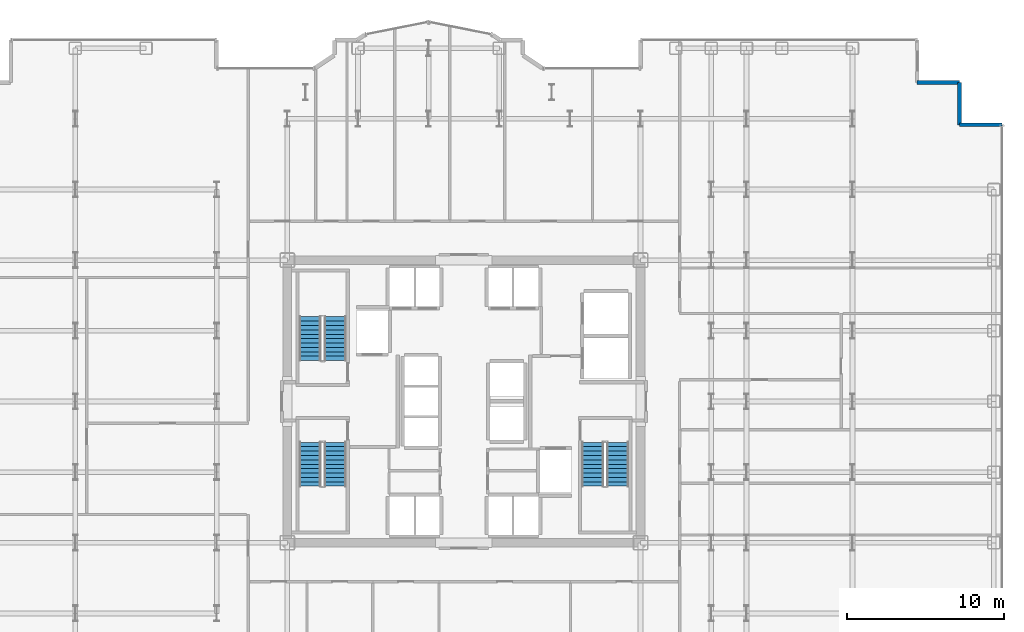
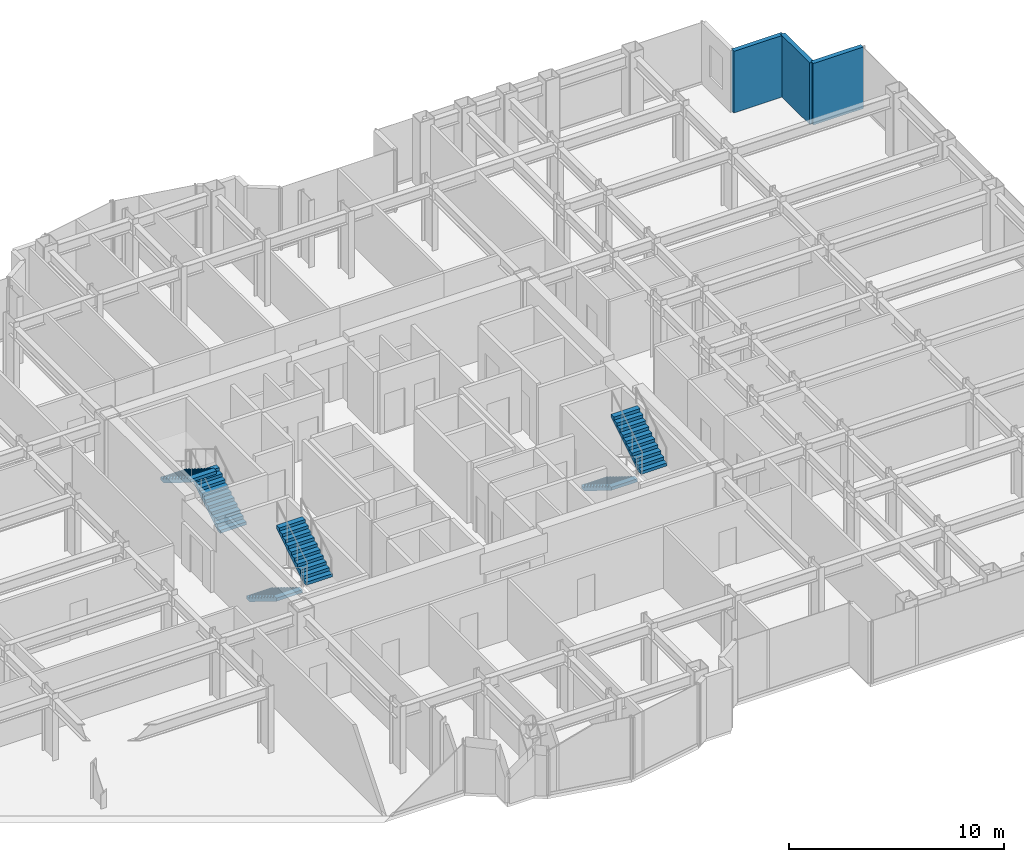
# One storey, part 25 of 26: 6 stair flights, 3 walls, 3 elements without a shape of their own.
"""IFC4 building model written with IfcOpenShell, lengths in metres."""

from ifc_helpers import new_model, si_unit, direction, frame, frame_2d, origin, place, context, subcontext, project, spatial, polyline, rectangle, outline, extrude, source, transform, mapped, material, layer, layer_set, type_object, element, aggregate, save


model = new_model("IFC4")

# Units and contexts
model_context = context("Model", 3, precision=1e-05, world=origin(), true_north=direction((0.0, 1.0)))
body_context = subcontext(model_context, "Body", "Model", "MODEL_VIEW")
ifc_project = project(units=[si_unit("LENGTHUNIT", "METRE"), si_unit("AREAUNIT", "SQUARE_METRE"), si_unit("VOLUMEUNIT", "CUBIC_METRE"), si_unit("PLANEANGLEUNIT", "RADIAN"), si_unit("MASSUNIT", "GRAM", prefix="KILO")], contexts=[model_context])

# Site, building, storey
site_placement = place(None, origin())
site = spatial("IfcSite", under=ifc_project, at=site_placement, CompositionType="ELEMENT")
building_placement = place(site_placement, origin())
building = spatial("IfcBuilding", under=site, at=building_placement, Name="Nefas-Gora Pilgrimage Tower", CompositionType="ELEMENT")
storey_placement = place(building_placement, frame((0.0, 0.0, 140.199951171875)))
storey = spatial("IfcBuildingStorey", under=building, at=storey_placement, Name="L34", CompositionType="ELEMENT", Elevation=140.199951171875)

# Walls
ifc_material_1 = material(Name="Precast concrete C45/55", Category="concrete")
ifc_layer = layer(ifc_material_1, 0.239990234375)
ifc_layer_set = layer_set([ifc_layer], Name="Precast concrete C45/55")
wall_type = type_object("IfcWallType", Name="EW-SERR-240", PredefinedType="SHEAR", material=ifc_layer_set)
shared_shape_1 = source(origin(), body_context, "Body", "SweptSolid", [
    extrude(rectangle(XDim=2.699951171875, YDim=0.239990234375, at=frame_2d((1.35009765625, 0.0))), origin(), (0.0, 0.0, 1.0), 3.5),
])
for number, where, z_axis, x_axis, name in (
    (1, (34.27001953125, 17.6201171875, 0.0), (0.0, 0.0, 1.0), (-1.0, 0.0, 0.0), "L34 Serrated Corner Shear Pier Wall 6"),
    (2, (31.570068359375, 17.6201171875, 0.0), (0.0, 0.0, 1.0), (0.0, 1.0, 0.0), "L34 Serrated Corner Shear Pier Wall 7"),
    (3, (31.570068359375, 20.320068359375, 0.0), (0.0, 0.0, 1.0), (-1.0, 0.0, 0.0), "L34 Serrated Corner Shear Pier Wall 8"),
):
    element("IfcWall", number, at=place(storey_placement, frame(where, z_axis=z_axis, x_axis=x_axis)), inside=storey, type_object=wall_type, Name=name, PredefinedType="SHEAR", context=body_context, shape_type="MappedRepresentation", body=[
        mapped(shared_shape_1, transform((0.0, 0.0, 0.0), x_axis=(1.0, 0.0, 0.0), y_axis=(0.0, 1.0, 0.0), z_axis=(0.0, 0.0, 1.0), scale=1.0)),
    ])

# Stair, stair flights
ifc_material_2 = material(Name="Concrete C45/55", Category="concrete")
stair_type = type_object("IfcStairType", Name="STR-1400-R1727", PredefinedType="HALF_TURN_STAIR", material=ifc_material_2)
stair_1_placement = place(storey_placement, origin())
stair_1 = element("IfcStair", 4, at=stair_1_placement, inside=storey, type_object=stair_type, Name="L34 Pressurised Tower Exit Stair ST-01", PredefinedType="HALF_TURN_STAIR")
stair_flight_type = type_object("IfcStairFlightType", Name="STF-1400-R1727", PredefinedType="STRAIGHT", material=ifc_material_2)
shared_shape_2 = source(origin(), body_context, "Body", "SweptSolid", [
    extrude(outline(polyline([(0.0, 0.0), (0.0, 0.172607421875), (0.280029296875, 0.172607421875), (0.280029296875, 0.345458984375), (0.56005859375, 0.345458984375), (0.56005859375, 0.51806640625), (0.840087890625, 0.51806640625), (0.840087890625, 0.69091796875), (1.1201171875, 0.69091796875), (1.1201171875, 0.863525390625), (1.39990234375, 0.863525390625), (1.39990234375, 1.036376953125), (1.679931640625, 1.036376953125), (1.679931640625, 1.208984375), (1.9599609375, 1.208984375), (1.9599609375, 1.3818359375), (2.239990234375, 1.3818359375), (2.239990234375, 1.554443359375), (2.52001953125, 1.554443359375), (2.52001953125, 1.727294921875), (2.800048828125, 1.727294921875), (2.800048828125, 1.89990234375), (2.800048828125, 1.551025390625), (0.285400390625, 0.0), (0.0, 0.0)])), frame((0.0, 0.699951171875, 0.0), z_axis=(0.0, -1.0, 0.0), x_axis=(1.0, 0.0, 0.0)), (0.0, 0.0, 1.0), 1.39990234375),
])
stair_flight_1_placement = place(storey_placement, frame((-8.199951171875, 2.60009765625, 0.0), z_axis=(0.0, 0.0, 1.0), x_axis=(0.0, 1.0, 0.0)))
stair_flight_1 = element("IfcStairFlight", 5, at=stair_flight_1_placement, type_object=stair_flight_type, Name="ST-01 flight 1", NumberOfRisers=11, NumberOfTreads=10, PredefinedType="STRAIGHT", RiserHeight=0.172727273, TreadLength=0.28, context=body_context, shape_type="MappedRepresentation", body=[
    mapped(shared_shape_2, transform((0.0, 0.0, 0.0), x_axis=(1.0, 0.0, 0.0), y_axis=(0.0, 1.0, 0.0), z_axis=(0.0, 0.0, 1.0), scale=1.0)),
])
stair_flight_2_placement = place(storey_placement, frame((-9.800048828125, 5.39990234375, 1.900146484375), z_axis=(0.0, 0.0, 1.0), x_axis=(0.0, -1.0, 0.0)))
stair_flight_2 = element("IfcStairFlight", 6, at=stair_flight_2_placement, type_object=stair_flight_type, Name="ST-01 flight 2", NumberOfRisers=11, NumberOfTreads=10, PredefinedType="STRAIGHT", RiserHeight=0.172727273, TreadLength=0.28, context=body_context, shape_type="MappedRepresentation", body=[
    mapped(shared_shape_2, transform((0.0, 0.0, 0.0), x_axis=(1.0, 0.0, 0.0), y_axis=(0.0, 1.0, 0.0), z_axis=(0.0, 0.0, 1.0), scale=1.0)),
])
aggregate(stair_1, [stair_flight_1, stair_flight_2])

stair_2_placement = place(storey_placement, origin())
stair_2 = element("IfcStair", 7, at=stair_2_placement, inside=storey, type_object=stair_type, Name="L34 Pressurised Tower Exit Stair ST-02", PredefinedType="HALF_TURN_STAIR")
stair_flight_3_placement = place(storey_placement, frame((8.199951171875, -2.60009765625, 0.0), z_axis=(0.0, 0.0, 1.0), x_axis=(0.0, -1.0, 0.0)))
stair_flight_3 = element("IfcStairFlight", 8, at=stair_flight_3_placement, type_object=stair_flight_type, Name="ST-02 flight 1", NumberOfRisers=11, NumberOfTreads=10, PredefinedType="STRAIGHT", RiserHeight=0.172727273, TreadLength=0.28, context=body_context, shape_type="MappedRepresentation", body=[
    mapped(shared_shape_2, transform((0.0, 0.0, 0.0), x_axis=(1.0, 0.0, 0.0), y_axis=(0.0, 1.0, 0.0), z_axis=(0.0, 0.0, 1.0), scale=1.0)),
])
stair_flight_4_placement = place(storey_placement, frame((9.800048828125, -5.39990234375, 1.900146484375), z_axis=(0.0, 0.0, 1.0), x_axis=(0.0, 1.0, 0.0)))
stair_flight_4 = element("IfcStairFlight", 9, at=stair_flight_4_placement, type_object=stair_flight_type, Name="ST-02 flight 2", NumberOfRisers=11, NumberOfTreads=10, PredefinedType="STRAIGHT", RiserHeight=0.172727273, TreadLength=0.28, context=body_context, shape_type="MappedRepresentation", body=[
    mapped(shared_shape_2, transform((0.0, 0.0, 0.0), x_axis=(1.0, 0.0, 0.0), y_axis=(0.0, 1.0, 0.0), z_axis=(0.0, 0.0, 1.0), scale=1.0)),
])
aggregate(stair_2, [stair_flight_3, stair_flight_4])

stair_3_placement = place(storey_placement, origin())
stair_3 = element("IfcStair", 10, at=stair_3_placement, inside=storey, type_object=stair_type, Name="L34 Pressurised Tower Exit Stair ST-03", PredefinedType="HALF_TURN_STAIR")
stair_flight_5_placement = place(storey_placement, frame((-9.800048828125, -2.60009765625, 0.0), z_axis=(0.0, 0.0, 1.0), x_axis=(0.0, -1.0, 0.0)))
stair_flight_5 = element("IfcStairFlight", 11, at=stair_flight_5_placement, type_object=stair_flight_type, Name="ST-03 flight 1", NumberOfRisers=11, NumberOfTreads=10, PredefinedType="STRAIGHT", RiserHeight=0.172727273, TreadLength=0.28, context=body_context, shape_type="MappedRepresentation", body=[
    mapped(shared_shape_2, transform((0.0, 0.0, 0.0), x_axis=(1.0, 0.0, 0.0), y_axis=(0.0, 1.0, 0.0), z_axis=(0.0, 0.0, 1.0), scale=1.0)),
])
stair_flight_6_placement = place(storey_placement, frame((-8.199951171875, -5.39990234375, 1.900146484375), z_axis=(0.0, 0.0, 1.0), x_axis=(0.0, 1.0, 0.0)))
stair_flight_6 = element("IfcStairFlight", 12, at=stair_flight_6_placement, type_object=stair_flight_type, Name="ST-03 flight 2", NumberOfRisers=11, NumberOfTreads=10, PredefinedType="STRAIGHT", RiserHeight=0.172727273, TreadLength=0.28, context=body_context, shape_type="MappedRepresentation", body=[
    mapped(shared_shape_2, transform((0.0, 0.0, 0.0), x_axis=(1.0, 0.0, 0.0), y_axis=(0.0, 1.0, 0.0), z_axis=(0.0, 0.0, 1.0), scale=1.0)),
])
aggregate(stair_3, [stair_flight_5, stair_flight_6])

save(model, "model.ifc")
